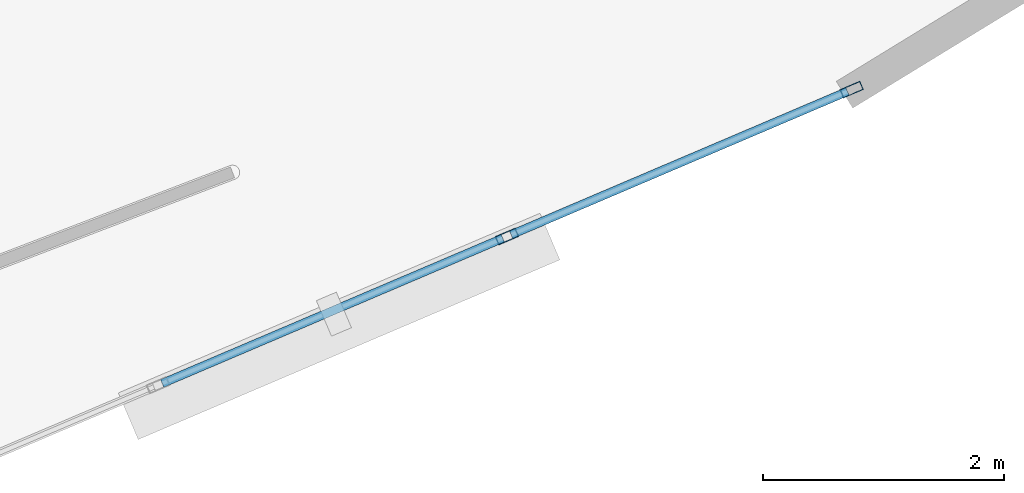
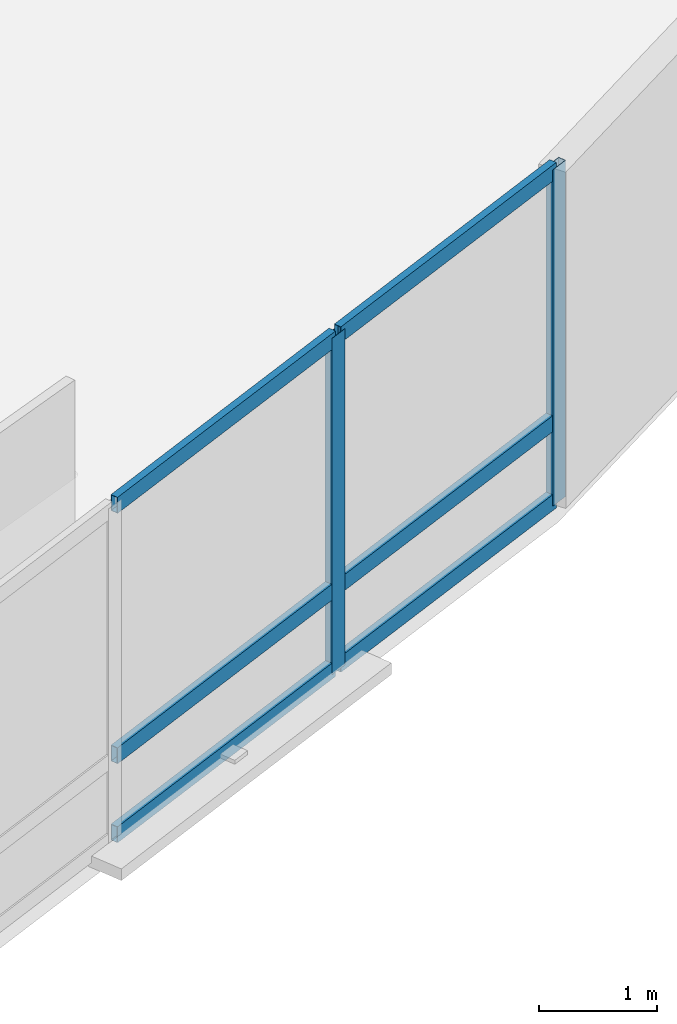
# One storey, part 11 of 20: 8 members, 1 element without a shape of its own.
"""IFC4 building model written with IfcOpenShell, lengths in metres."""

from ifc_helpers import new_model, si_unit, direction, frame, origin, origin_2d, place, context, subcontext, project, spatial, hollow_rectangle, extrude, material, layer, layer_set, material_profile, profile_set, type_object, element, aggregate, save


model = new_model("IFC4")

# Units and contexts
model_context = context("Model", 3, precision=1e-05, world=origin(), true_north=direction((0.0, 1.0)))
body_context = subcontext(model_context, "Body", "Model", "MODEL_VIEW")
ifc_project = project(units=[si_unit("LENGTHUNIT", "METRE"), si_unit("AREAUNIT", "SQUARE_METRE"), si_unit("VOLUMEUNIT", "CUBIC_METRE"), si_unit("PLANEANGLEUNIT", "RADIAN"), si_unit("MASSUNIT", "GRAM", prefix="KILO")], contexts=[model_context])

# Site, building, storey
site_placement = place(None, origin())
site = spatial("IfcSite", under=ifc_project, at=site_placement, CompositionType="ELEMENT")
building_placement = place(site_placement, origin())
building = spatial("IfcBuilding", under=site, at=building_placement, Name="Menara Vayukalpa", CompositionType="ELEMENT")
storey_placement = place(building_placement, frame((0.0, 0.0, 61.080078125)))
storey = spatial("IfcBuildingStorey", under=building, at=storey_placement, Name="L14", CompositionType="ELEMENT", Elevation=61.080078125)

# Curtain wall, members
ifc_material_1 = material(Name="Anodised Terracotta Aluminium Alloy 6063-T6", Category="masonry")
ifc_layer = layer(ifc_material_1, 0.179931640625)
ifc_layer_set = layer_set([ifc_layer], Name="Anodised Terracotta Aluminium Alloy 6063-T6")
curtain_wall_type = type_object("IfcCurtainWallType", Name="CW-CW4", PredefinedType="USERDEFINED", material=ifc_layer_set)
curtain_wall_placement = place(storey_placement, origin())
curtain_wall = element("IfcCurtainWall", 1, at=curtain_wall_placement, inside=storey, type_object=curtain_wall_type, Name="L14 Sky Bar Cantilever Glazed Curtain Wall CW4 17", ObjectType="UNITISED", PredefinedType="USERDEFINED")
ifc_material_2 = material(Name="Anodised Terracotta Aluminium Alloy 6063-T6", Category="masonry")
ifc_material_profile_1 = material_profile(ifc_material_2, hollow_rectangle(XDim=0.074951171875, YDim=0.179931640625, WallThickness=0.00390625, at=origin_2d()), Name="ALU 75x180x4")
ifc_profile_set_1 = profile_set([ifc_material_profile_1], Name="Anodised Terracotta Aluminium Alloy 6063-T6")
member_type_1 = type_object("IfcMemberType", Name="CWM-CW4", PredefinedType="MULLION", material=ifc_profile_set_1)
member_1_placement = place(storey_placement, frame((44.205078125, 13.259033203125, 0.0), z_axis=(0.0, 0.0, 1.0), x_axis=(-0.392008132718, 0.919961751315, 0.0)))
member_1 = element("IfcMember", 2, at=member_1_placement, type_object=member_type_1, Name="CW4 mullion 3", PredefinedType="MULLION", context=body_context, shape_type="SweptSolid", body=[
    extrude(hollow_rectangle(XDim=0.074951171875, YDim=0.179931640625, WallThickness=0.00390625, at=origin_2d()), origin(), (0.0, 0.0, 1.0), 3.469970703125),
])
member_2_placement = place(storey_placement, frame((47.06298828125, 14.476806640625, 0.0), z_axis=(0.0, 0.0, 1.0), x_axis=(-0.392008132718, 0.919961751315, 0.0)))
member_2 = element("IfcMember", 3, at=member_2_placement, type_object=member_type_1, Name="CW4 mullion 4", PredefinedType="MULLION", context=body_context, shape_type="SweptSolid", body=[
    extrude(hollow_rectangle(XDim=0.074951171875, YDim=0.179931640625, WallThickness=0.00390625, at=origin_2d()), origin(), (0.0, 0.0, 1.0), 3.469970703125),
])
ifc_material_3 = material(Name="Anodised Terracotta Aluminium Alloy 6063-T6", Category="masonry")
ifc_material_profile_2 = material_profile(ifc_material_3, hollow_rectangle(XDim=0.070068359375, YDim=0.1650390625, WallThickness=0.00390625, at=origin_2d()), Name="ALU 70x165x4")
ifc_profile_set_2 = profile_set([ifc_material_profile_2], Name="Anodised Terracotta Aluminium Alloy 6063-T6")
member_type_2 = type_object("IfcMemberType", Name="CWT-CW4", PredefinedType="USERDEFINED", material=ifc_profile_set_2)
member_3_placement = place(storey_placement, frame((41.34716796875, 12.041259765625, 0.034912109375), z_axis=(0.919961830658, 0.392007946518, 0.0), x_axis=(-0.392007946518, 0.919961830658, 0.0)))
member_3 = element("IfcMember", 4, at=member_3_placement, type_object=member_type_2, Name="CW4 transom 2.1", ObjectType="TRANSOM", PredefinedType="USERDEFINED", context=body_context, shape_type="SweptSolid", body=[
    extrude(hollow_rectangle(XDim=0.070068359375, YDim=0.1650390625, WallThickness=0.00390625, at=origin_2d()), origin(), (0.0, 0.0, 1.0), 3.069091796875),
])
member_4_placement = place(storey_placement, frame((41.34716796875, 12.041259765625, 0.849853515625), z_axis=(0.919961830658, 0.392007946518, 0.0), x_axis=(-0.392007946518, 0.919961830658, 0.0)))
member_4 = element("IfcMember", 5, at=member_4_placement, type_object=member_type_2, Name="CW4 transom 2.2", ObjectType="TRANSOM", PredefinedType="USERDEFINED", context=body_context, shape_type="SweptSolid", body=[
    extrude(hollow_rectangle(XDim=0.070068359375, YDim=0.1650390625, WallThickness=0.00390625, at=origin_2d()), origin(), (0.0, 0.0, 1.0), 3.069091796875),
])
member_5_placement = place(storey_placement, frame((41.34716796875, 12.041259765625, 3.434814453125), z_axis=(0.919961830658, 0.392007946518, 0.0), x_axis=(-0.392007946518, 0.919961830658, 0.0)))
member_5 = element("IfcMember", 6, at=member_5_placement, type_object=member_type_2, Name="CW4 transom 2.3", ObjectType="TRANSOM", PredefinedType="USERDEFINED", context=body_context, shape_type="SweptSolid", body=[
    extrude(hollow_rectangle(XDim=0.070068359375, YDim=0.1650390625, WallThickness=0.00390625, at=origin_2d()), origin(), (0.0, 0.0, 1.0), 3.069091796875),
])
member_6_placement = place(storey_placement, frame((44.239501953125, 13.273681640625, 0.034912109375), z_axis=(0.919959450087, 0.392013533178, 0.0), x_axis=(-0.392013533178, 0.919959450087, 0.0)))
member_6 = element("IfcMember", 7, at=member_6_placement, type_object=member_type_2, Name="CW4 transom 3.1", ObjectType="TRANSOM", PredefinedType="USERDEFINED", context=body_context, shape_type="SweptSolid", body=[
    extrude(hollow_rectangle(XDim=0.070068359375, YDim=0.1650390625, WallThickness=0.00390625, at=origin_2d()), origin(), (0.0, 0.0, 1.0), 3.03173828125),
])
member_7_placement = place(storey_placement, frame((44.239501953125, 13.273681640625, 0.849853515625), z_axis=(0.919959450087, 0.392013533178, 0.0), x_axis=(-0.392013533178, 0.919959450087, 0.0)))
member_7 = element("IfcMember", 8, at=member_7_placement, type_object=member_type_2, Name="CW4 transom 3.2", ObjectType="TRANSOM", PredefinedType="USERDEFINED", context=body_context, shape_type="SweptSolid", body=[
    extrude(hollow_rectangle(XDim=0.070068359375, YDim=0.1650390625, WallThickness=0.00390625, at=origin_2d()), origin(), (0.0, 0.0, 1.0), 3.03173828125),
])
member_8_placement = place(storey_placement, frame((44.239501953125, 13.273681640625, 3.434814453125), z_axis=(0.919959450087, 0.392013533178, 0.0), x_axis=(-0.392013533178, 0.919959450087, 0.0)))
member_8 = element("IfcMember", 9, at=member_8_placement, type_object=member_type_2, Name="CW4 transom 3.3", ObjectType="TRANSOM", PredefinedType="USERDEFINED", context=body_context, shape_type="SweptSolid", body=[
    extrude(hollow_rectangle(XDim=0.070068359375, YDim=0.1650390625, WallThickness=0.00390625, at=origin_2d()), origin(), (0.0, 0.0, 1.0), 3.03173828125),
])
aggregate(curtain_wall, [member_1, member_2, member_3, member_4, member_5, member_6, member_7, member_8])

save(model, "model.ifc")
